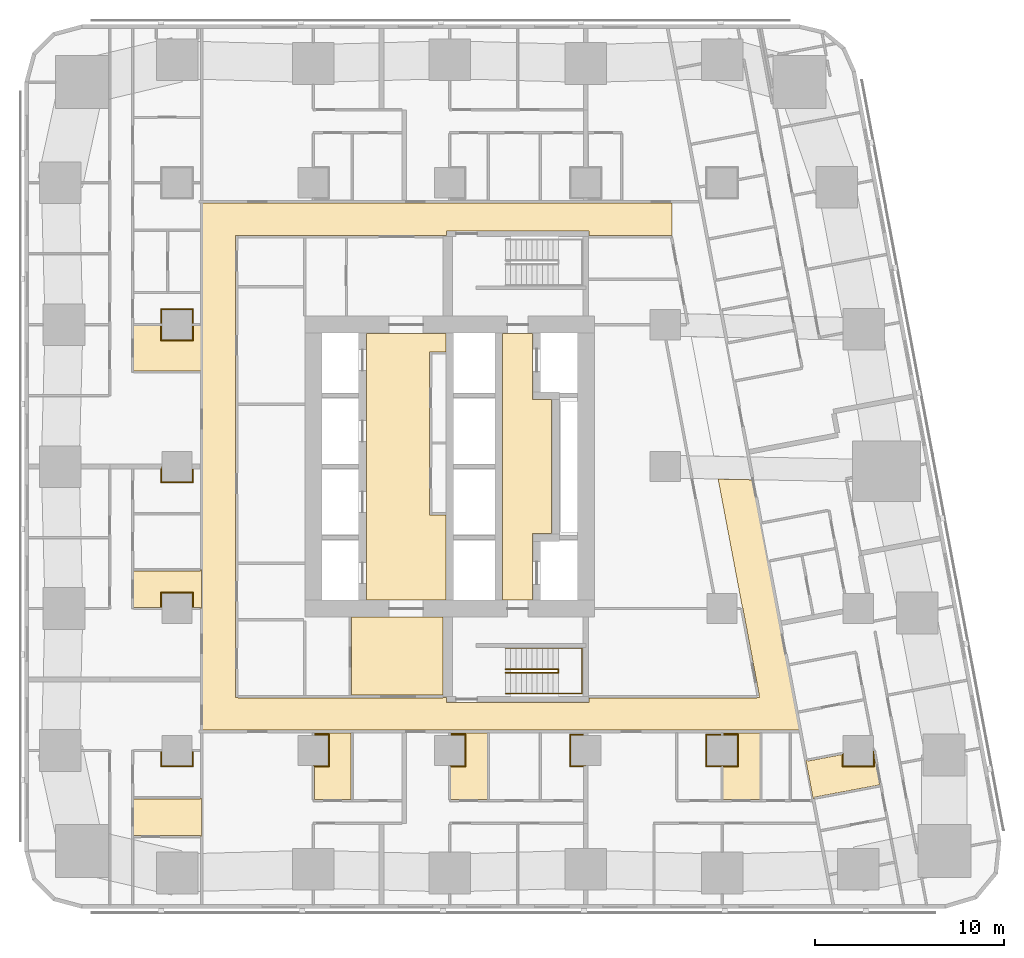
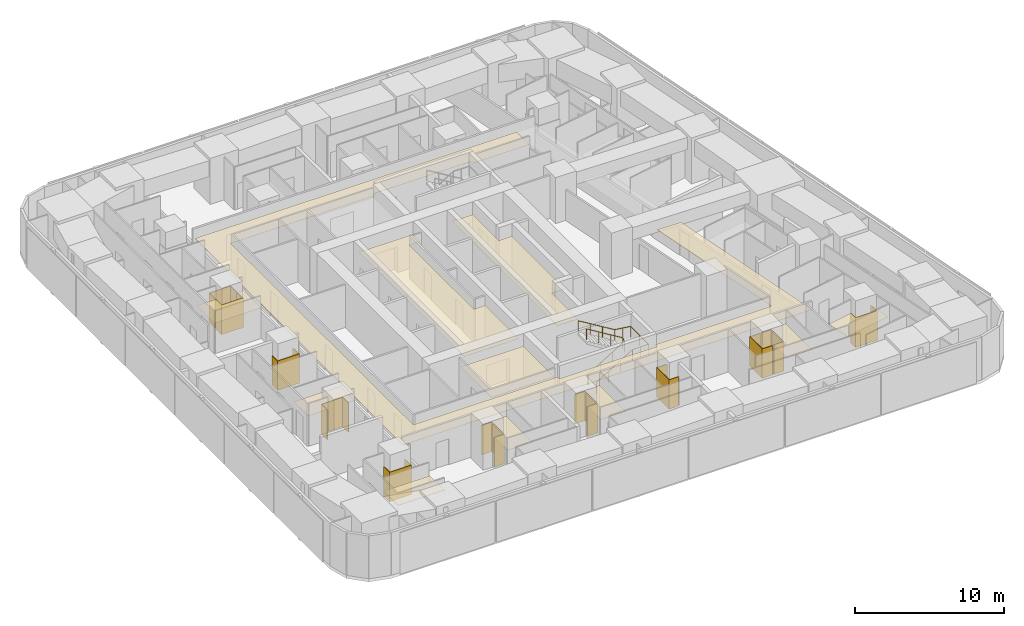
# One storey, part 15 of 17: 22 coverings, 2 railings.
"""IFC4 building model written with IfcOpenShell, lengths in metres."""

from ifc_helpers import new_model, si_unit, direction, frame, origin, origin_2d, place, context, subcontext, project, spatial, polyline, circle, outline, extrude, material, layer, layer_set, type_object, element, save


model = new_model("IFC4")

# Units and contexts
model_context = context("Model", 3, precision=1e-05, world=origin(), true_north=direction((0.0, 1.0)))
body_context = subcontext(model_context, "Body", "Model", "MODEL_VIEW")
ifc_project = project(units=[si_unit("LENGTHUNIT", "METRE"), si_unit("AREAUNIT", "SQUARE_METRE"), si_unit("VOLUMEUNIT", "CUBIC_METRE"), si_unit("PLANEANGLEUNIT", "RADIAN"), si_unit("MASSUNIT", "GRAM", prefix="KILO")], contexts=[model_context])

# Site, building, storey
site_placement = place(None, origin())
site = spatial("IfcSite", under=ifc_project, at=site_placement, CompositionType="ELEMENT")
building_placement = place(site_placement, origin())
building = spatial("IfcBuilding", under=site, at=building_placement, Name="Sheger Commons Tower", CompositionType="ELEMENT")
storey_placement = place(building_placement, frame((0.0, 0.0, 115.39990234375)))
storey = spatial("IfcBuildingStorey", under=building, at=storey_placement, Name="L29", CompositionType="ELEMENT", Elevation=115.39990234375)

# Railings
ifc_material_1 = material(Name="Steel handrail, black powder-coated", Category="steel")
railing_type = type_object("IfcRailingType", Name="HANDRAIL 900", PredefinedType="HANDRAIL", material=ifc_material_1)
railing_1_placement = place(storey_placement, frame((24.550048828125, 11.60009765625, 0.170654296875)))
element("IfcRailing", 1, at=railing_1_placement, inside=storey, type_object=railing_type, Name="Stair S1 handrail L29", PredefinedType="HANDRAIL", context=body_context, shape_type="SweptSolid", body=[
    extrude(circle(Radius=0.02392578125, at=origin_2d()), frame((0.0, 0.0, 0.8759765625), z_axis=(0.854202870247, 0.0, 0.519939858505), x_axis=(0.0, 1.0, 0.0)), (0.0, 0.0, 1.0), 3.278076171875),
    extrude(circle(Radius=0.02392578125, at=origin_2d()), frame((2.800048828125, 0.0, 2.580078125), z_axis=(0.0, 0.760631612298, 0.649183757016), x_axis=(-1.0, 0.0, 0.0)), (0.0, 0.0, 1.0), 0.262939453125),
    extrude(circle(Radius=0.02392578125, at=origin_2d()), frame((2.800048828125, 0.199951171875, 2.7509765625), z_axis=(-0.854202870247, 0.0, 0.519939858505), x_axis=(0.0, -1.0, 0.0)), (0.0, 0.0, 1.0), 3.278076171875),
    extrude(circle(Radius=0.02099609375, at=origin_2d()), origin(), (0.0, 0.0, 1.0), 0.851806640625),
    extrude(circle(Radius=0.02099609375, at=origin_2d()), frame((0.933349609375, 0.0, 0.568115234375)), (0.0, 0.0, 1.0), 0.851806640625),
    extrude(circle(Radius=0.02099609375, at=origin_2d()), frame((1.86669921875, 0.0, 1.13623046875)), (0.0, 0.0, 1.0), 0.851806640625),
    extrude(circle(Radius=0.02099609375, at=origin_2d()), frame((2.800048828125, 0.0, 1.704345703125)), (0.0, 0.0, 1.0), 0.851806640625),
    extrude(circle(Radius=0.02099609375, at=origin_2d()), frame((2.800048828125, 0.199951171875, 1.875)), (0.0, 0.0, 1.0), 0.851806640625),
    extrude(circle(Radius=0.02099609375, at=origin_2d()), frame((1.86669921875, 0.199951171875, 2.443115234375)), (0.0, 0.0, 1.0), 0.851806640625),
    extrude(circle(Radius=0.02099609375, at=origin_2d()), frame((0.933349609375, 0.199951171875, 3.01123046875)), (0.0, 0.0, 1.0), 0.851806640625),
    extrude(circle(Radius=0.02099609375, at=origin_2d()), frame((0.0, 0.199951171875, 3.579345703125)), (0.0, 0.0, 1.0), 0.851806640625),
])
railing_2_placement = place(storey_placement, frame((24.550048828125, 10.5, 0.170654296875)))
element("IfcRailing", 2, at=railing_2_placement, inside=storey, type_object=railing_type, Name="Stair S1 handrail L29", PredefinedType="HANDRAIL", context=body_context, shape_type="SweptSolid", body=[
    extrude(circle(Radius=0.02392578125, at=origin_2d()), frame((0.0, 0.0, 0.8759765625), z_axis=(0.854202870247, 0.0, 0.519939858505), x_axis=(0.0, 1.0, 0.0)), (0.0, 0.0, 1.0), 3.278076171875),
    extrude(circle(Radius=0.02392578125, at=origin_2d()), frame((2.800048828125, 0.0, 2.580078125), z_axis=(1.0, 0.0, 0.0), x_axis=(0.0, 1.0, 0.0)), (0.0, 0.0, 1.0), 1.25),
    extrude(circle(Radius=0.02392578125, at=origin_2d()), frame((4.050048828125, 0.0, 2.580078125), z_axis=(0.0, 1.0, 0.0), x_axis=(-1.0, 0.0, 0.0)), (0.0, 0.0, 1.0), 2.39990234375),
    extrude(circle(Radius=0.02392578125, at=origin_2d()), frame((4.050048828125, 2.39990234375, 2.580078125), z_axis=(-0.990808959222, 0.0, 0.135268645019), x_axis=(0.0, -1.0, 0.0)), (0.0, 0.0, 1.0), 1.261474609375),
    extrude(circle(Radius=0.02392578125, at=origin_2d()), frame((2.800048828125, 2.39990234375, 2.7509765625), z_axis=(-0.854202870247, 0.0, 0.519939858505), x_axis=(0.0, -1.0, 0.0)), (0.0, 0.0, 1.0), 3.278076171875),
    extrude(circle(Radius=0.02099609375, at=origin_2d()), origin(), (0.0, 0.0, 1.0), 0.851806640625),
    extrude(circle(Radius=0.02099609375, at=origin_2d()), frame((0.933349609375, 0.0, 0.568115234375)), (0.0, 0.0, 1.0), 0.851806640625),
    extrude(circle(Radius=0.02099609375, at=origin_2d()), frame((1.86669921875, 0.0, 1.13623046875)), (0.0, 0.0, 1.0), 0.851806640625),
    extrude(circle(Radius=0.02099609375, at=origin_2d()), frame((2.800048828125, 0.0, 1.704345703125)), (0.0, 0.0, 1.0), 0.851806640625),
    extrude(circle(Radius=0.02099609375, at=origin_2d()), frame((3.425048828125, 0.0, 1.704345703125)), (0.0, 0.0, 1.0), 0.851806640625),
    extrude(circle(Radius=0.02099609375, at=origin_2d()), frame((4.050048828125, 0.0, 1.704345703125)), (0.0, 0.0, 1.0), 0.851806640625),
    extrude(circle(Radius=0.02099609375, at=origin_2d()), frame((4.050048828125, 1.199951171875, 1.704345703125)), (0.0, 0.0, 1.0), 0.851806640625),
    extrude(circle(Radius=0.02099609375, at=origin_2d()), frame((4.050048828125, 2.39990234375, 1.704345703125)), (0.0, 0.0, 1.0), 0.851806640625),
    extrude(circle(Radius=0.02099609375, at=origin_2d()), frame((3.425048828125, 2.39990234375, 1.78955078125)), (0.0, 0.0, 1.0), 0.851806640625),
    extrude(circle(Radius=0.02099609375, at=origin_2d()), frame((2.800048828125, 2.39990234375, 1.875)), (0.0, 0.0, 1.0), 0.851806640625),
    extrude(circle(Radius=0.02099609375, at=origin_2d()), frame((1.86669921875, 2.39990234375, 2.443115234375)), (0.0, 0.0, 1.0), 0.851806640625),
    extrude(circle(Radius=0.02099609375, at=origin_2d()), frame((0.933349609375, 2.39990234375, 3.01123046875)), (0.0, 0.0, 1.0), 0.851806640625),
    extrude(circle(Radius=0.02099609375, at=origin_2d()), frame((0.0, 2.39990234375, 3.579345703125)), (0.0, 0.0, 1.0), 0.851806640625),
])

# Coverings
ifc_material_2 = material(Name="Moisture-resistant gypsum plasterboard 15 mm on a suspended galvanised steel grid", Category="steel")
ifc_layer_1 = layer(ifc_material_2, 0.014892578125)
ifc_layer_set_1 = layer_set([ifc_layer_1], Name="MOISTURE-RESISTANT CEILING 15")
covering_type_1 = type_object("IfcCoveringType", Name="MOISTURE-RESISTANT CEILING 15", PredefinedType="CEILING", material=ifc_layer_set_1)
covering_1_placement = place(storey_placement, frame((0.0, 0.0, 2.400146484375)))
element("IfcCovering", 3, at=covering_1_placement, inside=storey, type_object=covering_type_1, Name="L29-01.B2 ceiling", PredefinedType="CEILING", context=body_context, shape_type="SweptSolid", body=[
    extrude(outline(polyline([(8.429931640625, 2.948974609375), (8.5, 2.948974609375), (8.5, 4.9990234375), (8.429931640625, 4.9990234375), (8.429931640625, 4.944091796875), (4.905029296875, 4.944091796875), (4.905029296875, 3.00390625), (8.429931640625, 3.00390625), (8.429931640625, 2.948974609375)])), origin(), (0.0, 0.0, 1.0), 0.014892578125),
])
covering_2_placement = place(storey_placement, frame((0.0, 0.0, 2.400146484375)))
element("IfcCovering", 4, at=covering_2_placement, inside=storey, type_object=covering_type_1, Name="L29-02.B1 ceiling", PredefinedType="CEILING", context=body_context, shape_type="SweptSolid", body=[
    extrude(outline(polyline([(8.429931640625, 15.0), (8.5, 15.0), (8.5, 17.050048828125), (8.429931640625, 17.050048828125), (8.429931640625, 16.9951171875), (4.905029296875, 16.9951171875), (4.905029296875, 15.054931640625), (6.39501953125, 15.054931640625), (6.39501953125, 15.804931640625), (8.0048828125, 15.804931640625), (8.0048828125, 15.054931640625), (8.429931640625, 15.054931640625), (8.429931640625, 15.0)])), origin(), (0.0, 0.0, 1.0), 0.014892578125),
])
covering_3_placement = place(storey_placement, frame((0.0, 0.0, 2.400146484375)))
element("IfcCovering", 5, at=covering_3_placement, inside=storey, type_object=covering_type_1, Name="L29-03.B1 ceiling", PredefinedType="CEILING", context=body_context, shape_type="SweptSolid", body=[
    extrude(outline(polyline([(8.429931640625, 27.4990234375), (8.5, 27.4990234375), (8.5, 30.0), (8.429931640625, 30.0), (8.429931640625, 29.945068359375), (8.0048828125, 29.945068359375), (8.0048828125, 29.195068359375), (6.39501953125, 29.195068359375), (6.39501953125, 29.945068359375), (4.905029296875, 29.945068359375), (4.905029296875, 27.553955078125), (8.429931640625, 27.553955078125), (8.429931640625, 27.4990234375)])), origin(), (0.0, 0.0, 1.0), 0.014892578125),
])
covering_4_placement = place(storey_placement, frame((0.0, 0.0, 2.400146484375)))
element("IfcCovering", 6, at=covering_4_placement, inside=storey, type_object=covering_type_1, Name="L29-04.B1 ceiling", PredefinedType="CEILING", context=body_context, shape_type="SweptSolid", body=[
    extrude(outline(polyline([(14.455078125, 4.905029296875), (16.39501953125, 4.905029296875), (16.39501953125, 8.419921875), (14.455078125, 8.419921875), (14.455078125, 8.304931640625), (15.205078125, 8.304931640625), (15.205078125, 6.695068359375), (14.455078125, 6.695068359375), (14.455078125, 4.905029296875)])), origin(), (0.0, 0.0, 1.0), 0.014892578125),
])
covering_5_placement = place(storey_placement, frame((0.0, 0.0, 2.400146484375)))
element("IfcCovering", 7, at=covering_5_placement, inside=storey, type_object=covering_type_1, Name="L29-05.B1 ceiling", PredefinedType="CEILING", context=body_context, shape_type="SweptSolid", body=[
    extrude(outline(polyline([(21.655029296875, 4.905029296875), (23.594970703125, 4.905029296875), (23.594970703125, 8.419921875), (21.655029296875, 8.419921875), (21.655029296875, 8.304931640625), (22.405029296875, 8.304931640625), (22.405029296875, 6.695068359375), (21.655029296875, 6.695068359375), (21.655029296875, 4.905029296875)])), origin(), (0.0, 0.0, 1.0), 0.014892578125),
])
covering_6_placement = place(storey_placement, frame((0.0, 0.0, 2.400146484375)))
element("IfcCovering", 8, at=covering_6_placement, inside=storey, type_object=covering_type_1, Name="L29-06.B2 ceiling", PredefinedType="CEILING", context=body_context, shape_type="SweptSolid", body=[
    extrude(outline(polyline([(36.054931640625, 4.905029296875), (37.9951171875, 4.905029296875), (37.9951171875, 8.419921875), (36.054931640625, 8.419921875), (36.054931640625, 8.304931640625), (36.804931640625, 8.304931640625), (36.804931640625, 6.695068359375), (36.054931640625, 6.695068359375), (36.054931640625, 4.905029296875)])), origin(), (0.0, 0.0, 1.0), 0.014892578125),
])
covering_7_placement = place(storey_placement, frame((0.0, 0.0, 2.400146484375)))
element("IfcCovering", 9, at=covering_7_placement, inside=storey, type_object=covering_type_1, Name="L29-09.B2 ceiling", PredefinedType="CEILING", context=body_context, shape_type="SweptSolid", body=[
    extrude(outline(polyline([(40.81201171875, 4.962890625), (40.881103515625, 4.97607421875), (40.87109375, 5.030029296875), (44.333984375, 5.68408203125), (44.007080078125, 7.416015625), (44.0048828125, 7.416015625), (44.0048828125, 6.695068359375), (42.39501953125, 6.695068359375), (42.39501953125, 7.2919921875), (40.510009765625, 6.93603515625), (40.5, 6.990966796875), (40.431884765625, 6.97802734375), (40.81201171875, 4.962890625)])), origin(), (0.0, 0.0, 1.0), 0.014892578125),
])
ifc_material_3 = material(Name="Gypsum plasterboard 15 mm on a suspended steel grid", Category="steel")
ifc_layer_2 = layer(ifc_material_3, 0.014892578125)
ifc_layer_set_2 = layer_set([ifc_layer_2], Name="SUSPENDED CEILING 15")
covering_type_2 = type_object("IfcCoveringType", Name="SUSPENDED CEILING 15", PredefinedType="CEILING", material=ifc_layer_set_2)
covering_8_placement = place(storey_placement, frame((0.0, 0.0, 2.7001953125)))
element("IfcCovering", 10, at=covering_8_placement, inside=storey, type_object=covering_type_2, Name="L29-CO ceiling", PredefinedType="CEILING", context=body_context, shape_type="SweptSolid", body=[
    extrude(outline(polyline([(40.05810546875, 8.5), (40.14404296875, 8.5), (37.632080078125, 21.801025390625), (35.79296875, 21.837890625), (37.08203125, 15.013916015625), (37.09912109375, 15.01708984375), (37.967041015625, 10.4208984375), (37.949951171875, 10.4169921875), (37.971923828125, 10.300048828125), (37.841064453125, 10.300048828125), (37.841064453125, 10.281982421875), (28.955078125, 10.281982421875), (28.955078125, 10.044921875), (21.445068359375, 10.044921875), (21.445068359375, 10.300048828125), (21.2548828125, 10.300048828125), (21.2548828125, 10.281982421875), (10.407958984375, 10.281982421875), (10.407958984375, 10.294921875), (10.281982421875, 10.294921875), (10.281982421875, 34.705078125), (10.407958984375, 34.705078125), (10.407958984375, 34.718017578125), (21.2548828125, 34.718017578125), (21.2548828125, 34.699951171875), (21.445068359375, 34.699951171875), (21.445068359375, 34.955078125), (28.955078125, 34.955078125), (28.955078125, 34.718017578125), (33.3359375, 34.718017578125), (33.3359375, 34.699951171875), (33.361083984375, 34.699951171875), (33.361083984375, 36.419921875), (8.5, 36.419921875), (8.5, 8.580078125), (40.05810546875, 8.580078125), (40.05810546875, 8.5)])), origin(), (0.0, 0.0, 1.0), 0.014892578125),
])
covering_9_placement = place(storey_placement, frame((0.0, 0.0, 2.7001953125)))
element("IfcCovering", 11, at=covering_9_placement, inside=storey, type_object=covering_type_2, Name="L29-SVS1 ceiling", PredefinedType="CEILING", context=body_context, shape_type="SweptSolid", body=[
    extrude(outline(polyline([(16.406982421875, 10.41796875), (21.2451171875, 10.41796875), (21.2451171875, 14.544921875), (16.406982421875, 14.544921875), (16.406982421875, 10.41796875)])), origin(), (0.0, 0.0, 1.0), 0.014892578125),
])
covering_10_placement = place(storey_placement, frame((0.0, 0.0, 2.7001953125)))
element("IfcCovering", 12, at=covering_10_placement, inside=storey, type_object=covering_type_2, Name="L29-LL ceiling", PredefinedType="CEILING", context=body_context, shape_type="SweptSolid", body=[
    extrude(outline(polyline([(17.205078125, 15.455078125), (21.39990234375, 15.455078125), (21.39990234375, 19.93310546875), (20.657958984375, 19.93310546875), (20.532958984375, 19.93310546875), (20.532958984375, 28.56689453125), (20.657958984375, 28.56689453125), (21.39990234375, 28.56689453125), (21.39990234375, 29.544921875), (17.205078125, 29.544921875), (17.205078125, 15.455078125)])), origin(), (0.0, 0.0, 1.0), 0.014892578125),
])
covering_11_placement = place(storey_placement, frame((0.0, 0.0, 2.7001953125)))
element("IfcCovering", 13, at=covering_11_placement, inside=storey, type_object=covering_type_2, Name="L29-FL ceiling", PredefinedType="CEILING", context=body_context, shape_type="SweptSolid", body=[
    extrude(outline(polyline([(24.405029296875, 15.455078125), (25.9951171875, 15.455078125), (25.9951171875, 18.955078125), (26.9951171875, 18.955078125), (26.9951171875, 26.044921875), (25.9951171875, 26.044921875), (25.9951171875, 29.544921875), (24.405029296875, 29.544921875), (24.405029296875, 15.455078125)])), origin(), (0.0, 0.0, 1.0), 0.014892578125),
])
ifc_material_4 = material(Name="Moisture-resistant gypsum board 12.5 mm on 25 mm treated timber battens, tanked and tiled", Category="wood")
ifc_layer_3 = layer(ifc_material_4, 0.050048828125)
ifc_layer_set_3 = layer_set([ifc_layer_3], Name="WET-ROOM COLUMN LINING")
covering_type_3 = type_object("IfcCoveringType", Name="WET-ROOM COLUMN LINING", PredefinedType="CLADDING", material=ifc_layer_set_3)
covering_12_placement = place(storey_placement, origin())
element("IfcCovering", 14, at=covering_12_placement, inside=storey, type_object=covering_type_3, Name="Store and laundry column lining C9 L29", PredefinedType="CLADDING", context=body_context, shape_type="SweptSolid", body=[
    extrude(outline(polyline([(6.39990234375, 7.5), (6.39990234375, 6.699951171875), (8.0, 6.699951171875), (8.0, 7.5), (8.0009765625, 7.5), (8.0009765625, 7.449951171875), (8.050048828125, 7.449951171875), (8.050048828125, 6.64990234375), (6.35009765625, 6.64990234375), (6.35009765625, 7.449951171875), (6.39892578125, 7.449951171875), (6.39892578125, 7.5), (6.39990234375, 7.5)])), origin(), (0.0, 0.0, 1.0), 2.400146484375),
])
covering_13_placement = place(storey_placement, origin())
element("IfcCovering", 15, at=covering_13_placement, inside=storey, type_object=covering_type_3, Name="Bathroom column lining C9 L29", PredefinedType="CLADDING", context=body_context, shape_type="SweptSolid", body=[
    extrude(outline(polyline([(15.25, 6.64990234375), (14.449951171875, 6.64990234375), (14.449951171875, 6.698974609375), (14.39990234375, 6.698974609375), (14.39990234375, 6.699951171875), (15.199951171875, 6.699951171875), (15.199951171875, 8.300048828125), (14.39990234375, 8.300048828125), (14.39990234375, 8.301025390625), (14.449951171875, 8.301025390625), (14.449951171875, 8.35009765625), (15.25, 8.35009765625), (15.25, 6.64990234375)])), origin(), (0.0, 0.0, 1.0), 2.400146484375),
])
covering_14_placement = place(storey_placement, origin())
element("IfcCovering", 16, at=covering_14_placement, inside=storey, type_object=covering_type_3, Name="Bathroom column lining C9 L29", PredefinedType="CLADDING", context=body_context, shape_type="SweptSolid", body=[
    extrude(outline(polyline([(22.449951171875, 6.64990234375), (21.64990234375, 6.64990234375), (21.64990234375, 6.698974609375), (21.60009765625, 6.698974609375), (21.60009765625, 6.699951171875), (22.39990234375, 6.699951171875), (22.39990234375, 8.300048828125), (21.60009765625, 8.300048828125), (21.60009765625, 8.301025390625), (21.64990234375, 8.301025390625), (21.64990234375, 8.35009765625), (22.449951171875, 8.35009765625), (22.449951171875, 6.64990234375)])), origin(), (0.0, 0.0, 1.0), 2.400146484375),
])
covering_15_placement = place(storey_placement, origin())
element("IfcCovering", 17, at=covering_15_placement, inside=storey, type_object=covering_type_3, Name="Laundry room column lining C9 L29", PredefinedType="CLADDING", context=body_context, shape_type="SweptSolid", body=[
    extrude(outline(polyline([(28.675048828125, 8.35009765625), (28.675048828125, 8.301025390625), (28.800048828125, 8.301025390625), (28.800048828125, 8.300048828125), (28.0, 8.300048828125), (28.0, 6.699951171875), (28.800048828125, 6.699951171875), (28.800048828125, 6.698974609375), (28.675048828125, 6.698974609375), (28.675048828125, 6.64990234375), (27.949951171875, 6.64990234375), (27.949951171875, 8.35009765625), (28.675048828125, 8.35009765625)])), origin(), (0.0, 0.0, 1.0), 2.400146484375),
])
covering_16_placement = place(storey_placement, origin())
element("IfcCovering", 18, at=covering_16_placement, inside=storey, type_object=covering_type_3, Name="Laundry room column lining C9 L29", PredefinedType="CLADDING", context=body_context, shape_type="SweptSolid", body=[
    extrude(outline(polyline([(35.949951171875, 8.35009765625), (35.949951171875, 8.301025390625), (36.0, 8.301025390625), (36.0, 8.300048828125), (35.199951171875, 8.300048828125), (35.199951171875, 6.699951171875), (36.0, 6.699951171875), (36.0, 6.698974609375), (35.949951171875, 6.698974609375), (35.949951171875, 6.64990234375), (35.14990234375, 6.64990234375), (35.14990234375, 8.35009765625), (35.949951171875, 8.35009765625)])), origin(), (0.0, 0.0, 1.0), 2.400146484375),
])
covering_17_placement = place(storey_placement, origin())
element("IfcCovering", 19, at=covering_17_placement, inside=storey, type_object=covering_type_3, Name="Bathroom column lining C9 L29", PredefinedType="CLADDING", context=body_context, shape_type="SweptSolid", body=[
    extrude(outline(polyline([(36.85009765625, 6.64990234375), (36.050048828125, 6.64990234375), (36.050048828125, 6.698974609375), (36.0, 6.698974609375), (36.0, 6.699951171875), (36.800048828125, 6.699951171875), (36.800048828125, 8.300048828125), (36.0, 8.300048828125), (36.0, 8.301025390625), (36.050048828125, 8.301025390625), (36.050048828125, 8.35009765625), (36.85009765625, 8.35009765625), (36.85009765625, 6.64990234375)])), origin(), (0.0, 0.0, 1.0), 2.400146484375),
])
covering_18_placement = place(storey_placement, origin())
element("IfcCovering", 20, at=covering_18_placement, inside=storey, type_object=covering_type_3, Name="Bathroom column lining C9 L29", PredefinedType="CLADDING", context=body_context, shape_type="SweptSolid", body=[
    extrude(outline(polyline([(42.39990234375, 7.35009765625), (42.39990234375, 6.699951171875), (44.0, 6.699951171875), (44.0, 7.48095703125), (44.050048828125, 7.216064453125), (44.050048828125, 6.64990234375), (42.35009765625, 6.64990234375), (42.35009765625, 7.2890625), (42.39892578125, 7.298095703125), (42.389892578125, 7.347900390625), (42.39990234375, 7.35009765625)])), origin(), (0.0, 0.0, 1.0), 2.400146484375),
])
covering_19_placement = place(storey_placement, origin())
element("IfcCovering", 21, at=covering_19_placement, inside=storey, type_object=covering_type_3, Name="Bathroom column lining C9 L29", PredefinedType="CLADDING", context=body_context, shape_type="SweptSolid", body=[
    extrude(outline(polyline([(8.050048828125, 15.85009765625), (8.050048828125, 15.050048828125), (8.0009765625, 15.050048828125), (8.0009765625, 15.0), (8.0, 15.0), (8.0, 15.800048828125), (6.39990234375, 15.800048828125), (6.39990234375, 15.0), (6.39892578125, 15.0), (6.39892578125, 15.050048828125), (6.35009765625, 15.050048828125), (6.35009765625, 15.85009765625), (8.050048828125, 15.85009765625)])), origin(), (0.0, 0.0, 1.0), 2.400146484375),
])
covering_20_placement = place(storey_placement, origin())
element("IfcCovering", 22, at=covering_20_placement, inside=storey, type_object=covering_type_3, Name="Store and laundry column lining C9 L29", PredefinedType="CLADDING", context=body_context, shape_type="SweptSolid", body=[
    extrude(outline(polyline([(6.39990234375, 22.5), (6.39990234375, 21.699951171875), (8.0, 21.699951171875), (8.0, 22.5), (8.0009765625, 22.5), (8.0009765625, 22.375), (8.050048828125, 22.375), (8.050048828125, 21.64990234375), (6.35009765625, 21.64990234375), (6.35009765625, 22.375), (6.39892578125, 22.375), (6.39892578125, 22.5), (6.39990234375, 22.5)])), origin(), (0.0, 0.0, 1.0), 2.400146484375),
])
covering_21_placement = place(storey_placement, origin())
element("IfcCovering", 23, at=covering_21_placement, inside=storey, type_object=covering_type_3, Name="Bathroom column lining C9 L29", PredefinedType="CLADDING", context=body_context, shape_type="SweptSolid", body=[
    extrude(outline(polyline([(6.39990234375, 30.0), (6.39990234375, 29.199951171875), (8.0, 29.199951171875), (8.0, 30.0), (8.0009765625, 30.0), (8.0009765625, 29.949951171875), (8.050048828125, 29.949951171875), (8.050048828125, 29.14990234375), (6.35009765625, 29.14990234375), (6.35009765625, 29.949951171875), (6.39892578125, 29.949951171875), (6.39892578125, 30.0), (6.39990234375, 30.0)])), origin(), (0.0, 0.0, 1.0), 2.400146484375),
])
covering_22_placement = place(storey_placement, origin())
element("IfcCovering", 24, at=covering_22_placement, inside=storey, type_object=covering_type_3, Name="Laundry room column lining C9 L29", PredefinedType="CLADDING", context=body_context, shape_type="SweptSolid", body=[
    extrude(outline(polyline([(8.050048828125, 30.85009765625), (8.050048828125, 30.050048828125), (8.0009765625, 30.050048828125), (8.0009765625, 30.0), (8.0, 30.0), (8.0, 30.800048828125), (6.39990234375, 30.800048828125), (6.39990234375, 30.0), (6.39892578125, 30.0), (6.39892578125, 30.050048828125), (6.35009765625, 30.050048828125), (6.35009765625, 30.85009765625), (8.050048828125, 30.85009765625)])), origin(), (0.0, 0.0, 1.0), 2.400146484375),
])

save(model, "model.ifc")
